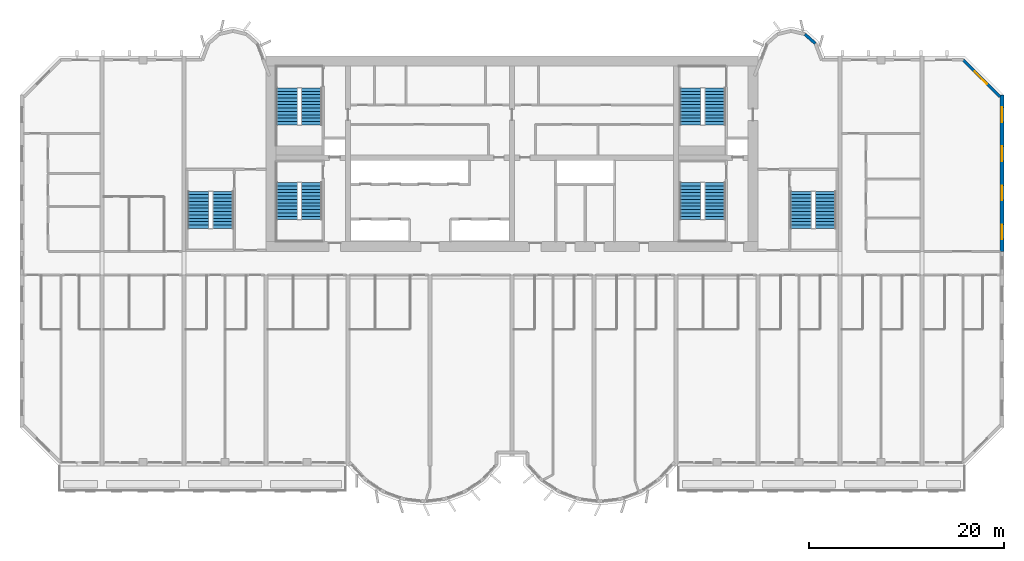
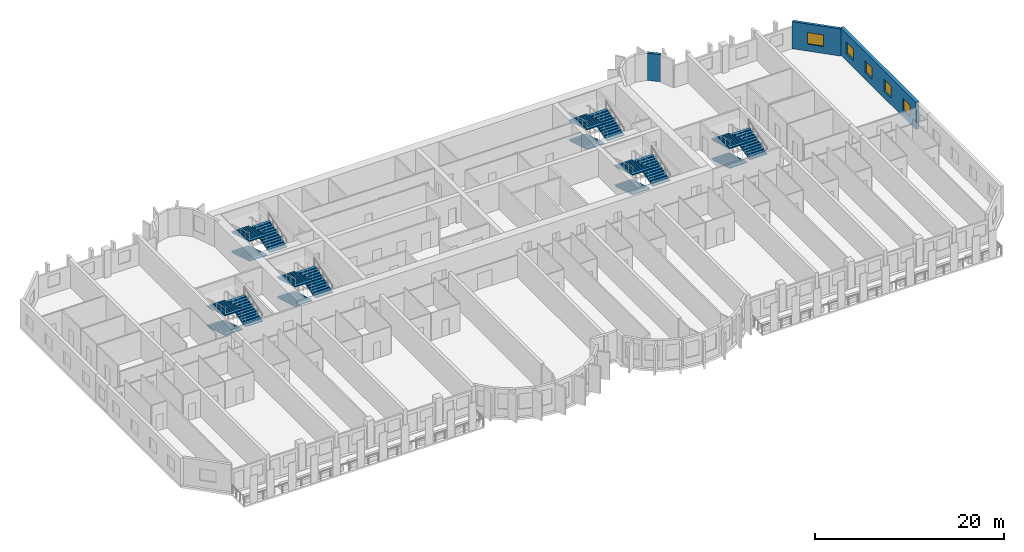
# One storey, part 11 of 14: 18 stair flights, 5 windows, 3 walls, 5 openings, 6 elements without a shape of their own.
"""IFC4 building model written with IfcOpenShell, lengths in metres."""

from ifc_helpers import new_model, si_unit, direction, frame, frame_2d, origin, place, context, subcontext, project, spatial, polyline, rectangle, outline, extrude, source, transform, mapped, material, layer, layer_set, type_object, element, fill, aggregate, save


model = new_model("IFC4")

# Units and contexts
model_context = context("Model", 3, precision=1e-05, world=origin(), true_north=direction((0.0, 1.0)))
body_context = subcontext(model_context, "Body", "Model", "MODEL_VIEW")
ifc_project = project(units=[si_unit("LENGTHUNIT", "METRE"), si_unit("AREAUNIT", "SQUARE_METRE"), si_unit("VOLUMEUNIT", "CUBIC_METRE"), si_unit("PLANEANGLEUNIT", "RADIAN"), si_unit("MASSUNIT", "GRAM", prefix="KILO")], contexts=[model_context])

# Site, building, storey
site_placement = place(None, origin())
site = spatial("IfcSite", under=ifc_project, at=site_placement, CompositionType="ELEMENT")
building_placement = place(site_placement, origin())
building = spatial("IfcBuilding", under=site, at=building_placement, Name="Vanashikhar Sky Hotel", CompositionType="ELEMENT")
storey_placement = place(building_placement, frame((0.0, 0.0, 54.39990234375)))
storey = spatial("IfcBuildingStorey", under=building, at=storey_placement, Name="L12", CompositionType="ELEMENT", Elevation=54.39990234375)

# Wall, openings, windows
ifc_material_1 = material(Name="Concrete M80", Category="concrete")
ifc_layer_1 = layer(ifc_material_1, 0.39990234375)
ifc_layer_set_1 = layer_set([ifc_layer_1], Name="RC shear wall 400 Concrete M80")
wall_type_1 = type_object("IfcWallType", Name="RC shear wall 400 Concrete M80", PredefinedType="SHEAR", material=ifc_layer_set_1)
shared_shape_1 = source(origin(), body_context, "Body", "SweptSolid", [
    extrude(rectangle(XDim=16.0, YDim=0.39990234375, at=frame_2d((8.0, 0.0))), origin(), (0.0, 0.0, 1.0), 3.52001953125),
])
wall_1_placement = place(storey_placement, frame((100.60009765625, 22.0, 0.0), z_axis=(0.0, 0.0, 1.0), x_axis=(0.0, 1.0, 0.0)))
wall_1 = element("IfcWall", 1, at=wall_1_placement, inside=storey, type_object=wall_type_1, Name="CW-L12-XW13-2", PredefinedType="SHEAR", context=body_context, shape_type="MappedRepresentation", body=[
    mapped(shared_shape_1, transform((0.0, 0.0, 0.0), scale=1.0)),
])
shared_shape_2 = source(origin(), body_context, "Body", "SweptSolid", [
    extrude(rectangle(XDim=1.5, YDim=1.5, at=frame_2d((0.75, 0.75))), frame((0.0, 0.2099609375, 0.0), z_axis=(0.0, -1.0, 0.0), x_axis=(1.0, 0.0, 0.0)), (0.0, 0.0, 1.0), 0.419921875),
])
opening_1_placement = place(wall_1_placement, frame((1.25, 0.0, 0.89990234375)))
opening_1 = element("IfcOpeningElement", 2, at=opening_1_placement, cuts=wall_1, Name="Opening WN-1", PredefinedType="OPENING", context=body_context, shape_type="MappedRepresentation", body=[
    mapped(shared_shape_2, transform((0.0, 0.0, 0.0), scale=1.0)),
])
opening_2_placement = place(wall_1_placement, frame((5.25, 0.0, 0.89990234375)))
opening_2 = element("IfcOpeningElement", 3, at=opening_2_placement, cuts=wall_1, Name="Opening WN-1", PredefinedType="OPENING", context=body_context, shape_type="MappedRepresentation", body=[
    mapped(shared_shape_2, transform((0.0, 0.0, 0.0), scale=1.0)),
])
opening_3_placement = place(wall_1_placement, frame((9.25, 0.0, 0.89990234375)))
opening_3 = element("IfcOpeningElement", 4, at=opening_3_placement, cuts=wall_1, Name="Opening WN-1", PredefinedType="OPENING", context=body_context, shape_type="MappedRepresentation", body=[
    mapped(shared_shape_2, transform((0.0, 0.0, 0.0), scale=1.0)),
])
opening_4_placement = place(wall_1_placement, frame((13.25, 0.0, 0.89990234375)))
opening_4 = element("IfcOpeningElement", 5, at=opening_4_placement, cuts=wall_1, Name="Opening WN-1", PredefinedType="OPENING", context=body_context, shape_type="MappedRepresentation", body=[
    mapped(shared_shape_2, transform((0.0, 0.0, 0.0), scale=1.0)),
])
ifc_material_2 = material(Name="Glass", Category="glass")
window_type_1 = type_object("IfcWindowType", Name="Window 1500 x 1500", PartitioningType="SINGLE_PANEL", PredefinedType="WINDOW", material=ifc_material_2)
shared_shape_3 = source(origin(), body_context, "Body", "SweptSolid", [
    extrude(rectangle(XDim=1.5, YDim=1.5, at=frame_2d((0.75, 0.75))), frame((0.0, 0.030029296875, 0.0), z_axis=(0.0, -1.0, 0.0), x_axis=(1.0, 0.0, 0.0)), (0.0, 0.0, 1.0), 0.06005859375),
])
window_1_placement = place(opening_1_placement, origin())
window_1 = element("IfcWindow", 6, at=window_1_placement, inside=storey, type_object=window_type_1, Name="Window WN-1", OverallHeight=1.5, OverallWidth=1.5, PartitioningType="SINGLE_PANEL", PredefinedType="WINDOW", context=body_context, shape_type="MappedRepresentation", body=[
    mapped(shared_shape_3, transform((0.0, 0.0, 0.0), scale=1.0)),
])
fill(opening_1, window_1)
window_2_placement = place(opening_2_placement, origin())
window_2 = element("IfcWindow", 7, at=window_2_placement, inside=storey, type_object=window_type_1, Name="Window WN-1", OverallHeight=1.5, OverallWidth=1.5, PartitioningType="SINGLE_PANEL", PredefinedType="WINDOW", context=body_context, shape_type="MappedRepresentation", body=[
    mapped(shared_shape_3, transform((0.0, 0.0, 0.0), scale=1.0)),
])
fill(opening_2, window_2)
window_3_placement = place(opening_3_placement, origin())
window_3 = element("IfcWindow", 8, at=window_3_placement, inside=storey, type_object=window_type_1, Name="Window WN-1", OverallHeight=1.5, OverallWidth=1.5, PartitioningType="SINGLE_PANEL", PredefinedType="WINDOW", context=body_context, shape_type="MappedRepresentation", body=[
    mapped(shared_shape_3, transform((0.0, 0.0, 0.0), scale=1.0)),
])
fill(opening_3, window_3)
window_4_placement = place(opening_4_placement, origin())
window_4 = element("IfcWindow", 9, at=window_4_placement, inside=storey, type_object=window_type_1, Name="Window WN-1", OverallHeight=1.5, OverallWidth=1.5, PartitioningType="SINGLE_PANEL", PredefinedType="WINDOW", context=body_context, shape_type="MappedRepresentation", body=[
    mapped(shared_shape_3, transform((0.0, 0.0, 0.0), scale=1.0)),
])
fill(opening_4, window_4)

# Wall, opening, window
ifc_material_3 = material(Name="Concrete M50", Category="concrete")
ifc_layer_2 = layer(ifc_material_3, 0.300048828125)
ifc_layer_set_2 = layer_set([ifc_layer_2], Name="Lobe wall 300")
wall_type_2 = type_object("IfcWallType", Name="Lobe wall 300", PredefinedType="SOLIDWALL", material=ifc_layer_set_2)
shared_shape_4 = source(origin(), body_context, "Body", "SweptSolid", [
    extrude(rectangle(XDim=5.32568359375, YDim=0.300048828125, at=frame_2d((2.662841796875, 0.0))), origin(), (0.0, 0.0, 1.0), 3.52001953125),
])
wall_2_placement = place(storey_placement, frame((100.39990234375, 37.834228515625, 0.0), z_axis=(0.0, 0.0, 1.0), x_axis=(-0.707083859269, 0.707129702361, 0.0)))
wall_2 = element("IfcWall", 10, at=wall_2_placement, inside=storey, type_object=wall_type_2, Name="Corner wall", PredefinedType="SOLIDWALL", context=body_context, shape_type="MappedRepresentation", body=[
    mapped(shared_shape_4, transform((0.0, 0.0, 0.0), scale=1.0)),
])
shared_shape_5 = source(origin(), body_context, "Body", "SweptSolid", [
    extrude(rectangle(XDim=1.800048828125, YDim=1.5, at=frame_2d((0.89990234375, 0.75))), frame((0.0, 0.16015625, 0.0), z_axis=(0.0, -1.0, 0.0), x_axis=(1.0, 0.0, 0.0)), (0.0, 0.0, 1.0), 0.320068359375),
])
opening_5_placement = place(wall_2_placement, frame((1.871337890625, 0.0, 0.89990234375)))
opening_5 = element("IfcOpeningElement", 11, at=opening_5_placement, cuts=wall_2, Name="Opening WN-4", PredefinedType="OPENING", context=body_context, shape_type="MappedRepresentation", body=[
    mapped(shared_shape_5, transform((0.0, 0.0, 0.0), scale=1.0)),
])
window_type_2 = type_object("IfcWindowType", Name="Corner window 1800 x 1500", PartitioningType="SINGLE_PANEL", PredefinedType="WINDOW", material=ifc_material_2)
shared_shape_6 = source(origin(), body_context, "Body", "SweptSolid", [
    extrude(rectangle(XDim=1.800048828125, YDim=1.5, at=frame_2d((0.89990234375, 0.75))), frame((0.0, 0.030029296875, 0.0), z_axis=(0.0, -1.0, 0.0), x_axis=(1.0, 0.0, 0.0)), (0.0, 0.0, 1.0), 0.06005859375),
])
window_5_placement = place(opening_5_placement, origin())
window_5 = element("IfcWindow", 12, at=window_5_placement, inside=storey, type_object=window_type_2, Name="Window WN-4", OverallHeight=1.5, OverallWidth=1.800048828125, PartitioningType="SINGLE_PANEL", PredefinedType="WINDOW", context=body_context, shape_type="MappedRepresentation", body=[
    mapped(shared_shape_6, transform((0.0, 0.0, 0.0), scale=1.0)),
])
fill(opening_5, window_5)

# Wall
shared_shape_7 = source(origin(), body_context, "Body", "SweptSolid", [
    extrude(rectangle(XDim=1.43994140625, YDim=0.300048828125, at=frame_2d((0.719970703125, 0.0))), origin(), (0.0, 0.0, 1.0), 3.52001953125),
])
wall_3_placement = place(storey_placement, frame((81.4765625, 43.2919921875, 0.0), z_axis=(0.0, 0.0, 1.0), x_axis=(-0.74957555648, 0.661918790432, 0.0)))
element("IfcWall", 13, at=wall_3_placement, inside=storey, type_object=wall_type_2, Name="Lobe wall", PredefinedType="SOLIDWALL", context=body_context, shape_type="MappedRepresentation", body=[
    mapped(shared_shape_7, transform((0.0, 0.0, 0.0), scale=1.0)),
])

# Stair, stair flights
ifc_material_4 = material(Name="Concrete M40", Category="concrete")
stair_type = type_object("IfcStairType", Name="Exit stair 2150", PredefinedType="DOUBLE_RETURN_STAIR", material=ifc_material_4)
stair_1_placement = place(storey_placement, origin())
stair_1 = element("IfcStair", 14, at=stair_1_placement, inside=storey, type_object=stair_type, Name="L12 Exit stair 1", PredefinedType="DOUBLE_RETURN_STAIR")
stair_flight_type = type_object("IfcStairFlightType", Name="Stair flight 2150", PredefinedType="STRAIGHT", material=ifc_material_4)
shared_shape_8 = source(origin(), body_context, "Body", "SweptSolid", [
    extrude(outline(polyline([(0.0, 0.0), (0.0, 0.10546875), (0.345458984375, 0.10546875), (0.345458984375, 0.211181640625), (0.69091796875, 0.211181640625), (0.69091796875, 0.316650390625), (1.036376953125, 0.316650390625), (1.036376953125, 0.422119140625), (1.3818359375, 0.422119140625), (1.3818359375, 0.52783203125), (1.727294921875, 0.52783203125), (1.727294921875, 0.63330078125), (2.07275390625, 0.63330078125), (2.07275390625, 0.73876953125), (2.418212890625, 0.73876953125), (2.418212890625, 0.844482421875), (2.763671875, 0.844482421875), (2.763671875, 0.949951171875), (3.109130859375, 0.949951171875), (3.109130859375, 1.0556640625), (3.45458984375, 1.0556640625), (3.45458984375, 1.1611328125), (3.800048828125, 1.1611328125), (3.800048828125, 1.2666015625), (3.800048828125, 1.035400390625), (0.4111328125, 0.0), (0.0, 0.0)])), frame((0.0, 1.074951171875, 0.0), z_axis=(0.0, -1.0, 0.0), x_axis=(1.0, 0.0, 0.0)), (0.0, 0.0, 1.0), 2.14990234375),
])
stair_flight_1_placement = place(storey_placement, frame((27.375, 29.050048828125, 0.0), z_axis=(0.0, 0.0, 1.0), x_axis=(0.0, -1.0, 0.0)))
stair_flight_1 = element("IfcStairFlight", 15, at=stair_flight_1_placement, type_object=stair_flight_type, Name="ST-C1 flight 1", NumberOfRisers=12, NumberOfTreads=11, PredefinedType="STRAIGHT", RiserHeight=0.105555556, TreadLength=0.345454545, context=body_context, shape_type="MappedRepresentation", body=[
    mapped(shared_shape_8, transform((0.0, 0.0, 0.0), scale=1.0)),
])
stair_flight_2_placement = place(storey_placement, frame((29.875, 25.25, 1.266845703125), z_axis=(0.0, 0.0, 1.0), x_axis=(0.0, 1.0, 0.0)))
stair_flight_2 = element("IfcStairFlight", 16, at=stair_flight_2_placement, type_object=stair_flight_type, Name="ST-C1 flight 2", NumberOfRisers=12, NumberOfTreads=11, PredefinedType="STRAIGHT", RiserHeight=0.105555556, TreadLength=0.345454545, context=body_context, shape_type="MappedRepresentation", body=[
    mapped(shared_shape_8, transform((0.0, 0.0, 0.0), scale=1.0)),
])
stair_flight_3_placement = place(storey_placement, frame((27.375, 29.050048828125, 2.533447265625), z_axis=(0.0, 0.0, 1.0), x_axis=(0.0, -1.0, 0.0)))
stair_flight_3 = element("IfcStairFlight", 17, at=stair_flight_3_placement, type_object=stair_flight_type, Name="ST-C1 flight 3", NumberOfRisers=12, NumberOfTreads=11, PredefinedType="STRAIGHT", RiserHeight=0.105555556, TreadLength=0.345454545, context=body_context, shape_type="MappedRepresentation", body=[
    mapped(shared_shape_8, transform((0.0, 0.0, 0.0), scale=1.0)),
])
aggregate(stair_1, [stair_flight_1, stair_flight_2, stair_flight_3])

stair_2_placement = place(storey_placement, origin())
stair_2 = element("IfcStair", 18, at=stair_2_placement, inside=storey, type_object=stair_type, Name="L12 Exit stair 2", PredefinedType="DOUBLE_RETURN_STAIR")
stair_flight_4_placement = place(storey_placement, frame((68.675048828125, 29.050048828125, 0.0), z_axis=(0.0, 0.0, 1.0), x_axis=(0.0, -1.0, 0.0)))
stair_flight_4 = element("IfcStairFlight", 19, at=stair_flight_4_placement, type_object=stair_flight_type, Name="ST-C2 flight 1", NumberOfRisers=12, NumberOfTreads=11, PredefinedType="STRAIGHT", RiserHeight=0.105555556, TreadLength=0.345454545, context=body_context, shape_type="MappedRepresentation", body=[
    mapped(shared_shape_8, transform((0.0, 0.0, 0.0), scale=1.0)),
])
stair_flight_5_placement = place(storey_placement, frame((71.175048828125, 25.25, 1.266845703125), z_axis=(0.0, 0.0, 1.0), x_axis=(0.0, 1.0, 0.0)))
stair_flight_5 = element("IfcStairFlight", 20, at=stair_flight_5_placement, type_object=stair_flight_type, Name="ST-C2 flight 2", NumberOfRisers=12, NumberOfTreads=11, PredefinedType="STRAIGHT", RiserHeight=0.105555556, TreadLength=0.345454545, context=body_context, shape_type="MappedRepresentation", body=[
    mapped(shared_shape_8, transform((0.0, 0.0, 0.0), scale=1.0)),
])
stair_flight_6_placement = place(storey_placement, frame((68.675048828125, 29.050048828125, 2.533447265625), z_axis=(0.0, 0.0, 1.0), x_axis=(0.0, -1.0, 0.0)))
stair_flight_6 = element("IfcStairFlight", 21, at=stair_flight_6_placement, type_object=stair_flight_type, Name="ST-C2 flight 3", NumberOfRisers=12, NumberOfTreads=11, PredefinedType="STRAIGHT", RiserHeight=0.105555556, TreadLength=0.345454545, context=body_context, shape_type="MappedRepresentation", body=[
    mapped(shared_shape_8, transform((0.0, 0.0, 0.0), scale=1.0)),
])
aggregate(stair_2, [stair_flight_4, stair_flight_5, stair_flight_6])

stair_3_placement = place(storey_placement, origin())
stair_3 = element("IfcStair", 22, at=stair_3_placement, inside=storey, type_object=stair_type, Name="L12 Exit stair 3", PredefinedType="DOUBLE_RETURN_STAIR")
stair_flight_7_placement = place(storey_placement, frame((18.27490234375, 28.14990234375, 0.0), z_axis=(0.0, 0.0, 1.0), x_axis=(0.0, -1.0, 0.0)))
stair_flight_7 = element("IfcStairFlight", 23, at=stair_flight_7_placement, type_object=stair_flight_type, Name="ST-W flight 1", NumberOfRisers=12, NumberOfTreads=11, PredefinedType="STRAIGHT", RiserHeight=0.105555556, TreadLength=0.345454545, context=body_context, shape_type="MappedRepresentation", body=[
    mapped(shared_shape_8, transform((0.0, 0.0, 0.0), scale=1.0)),
])
stair_flight_8_placement = place(storey_placement, frame((20.77490234375, 24.35009765625, 1.266845703125), z_axis=(0.0, 0.0, 1.0), x_axis=(0.0, 1.0, 0.0)))
stair_flight_8 = element("IfcStairFlight", 24, at=stair_flight_8_placement, type_object=stair_flight_type, Name="ST-W flight 2", NumberOfRisers=12, NumberOfTreads=11, PredefinedType="STRAIGHT", RiserHeight=0.105555556, TreadLength=0.345454545, context=body_context, shape_type="MappedRepresentation", body=[
    mapped(shared_shape_8, transform((0.0, 0.0, 0.0), scale=1.0)),
])
stair_flight_9_placement = place(storey_placement, frame((18.27490234375, 28.14990234375, 2.533447265625), z_axis=(0.0, 0.0, 1.0), x_axis=(0.0, -1.0, 0.0)))
stair_flight_9 = element("IfcStairFlight", 25, at=stair_flight_9_placement, type_object=stair_flight_type, Name="ST-W flight 3", NumberOfRisers=12, NumberOfTreads=11, PredefinedType="STRAIGHT", RiserHeight=0.105555556, TreadLength=0.345454545, context=body_context, shape_type="MappedRepresentation", body=[
    mapped(shared_shape_8, transform((0.0, 0.0, 0.0), scale=1.0)),
])
aggregate(stair_3, [stair_flight_7, stair_flight_8, stair_flight_9])

stair_4_placement = place(storey_placement, origin())
stair_4 = element("IfcStair", 26, at=stair_4_placement, inside=storey, type_object=stair_type, Name="L12 Exit stair 4", PredefinedType="DOUBLE_RETURN_STAIR")
stair_flight_10_placement = place(storey_placement, frame((80.02490234375, 28.14990234375, 0.0), z_axis=(0.0, 0.0, 1.0), x_axis=(0.0, -1.0, 0.0)))
stair_flight_10 = element("IfcStairFlight", 27, at=stair_flight_10_placement, type_object=stair_flight_type, Name="ST-E flight 1", NumberOfRisers=12, NumberOfTreads=11, PredefinedType="STRAIGHT", RiserHeight=0.105555556, TreadLength=0.345454545, context=body_context, shape_type="MappedRepresentation", body=[
    mapped(shared_shape_8, transform((0.0, 0.0, 0.0), scale=1.0)),
])
stair_flight_11_placement = place(storey_placement, frame((82.52490234375, 24.35009765625, 1.266845703125), z_axis=(0.0, 0.0, 1.0), x_axis=(0.0, 1.0, 0.0)))
stair_flight_11 = element("IfcStairFlight", 28, at=stair_flight_11_placement, type_object=stair_flight_type, Name="ST-E flight 2", NumberOfRisers=12, NumberOfTreads=11, PredefinedType="STRAIGHT", RiserHeight=0.105555556, TreadLength=0.345454545, context=body_context, shape_type="MappedRepresentation", body=[
    mapped(shared_shape_8, transform((0.0, 0.0, 0.0), scale=1.0)),
])
stair_flight_12_placement = place(storey_placement, frame((80.02490234375, 28.14990234375, 2.533447265625), z_axis=(0.0, 0.0, 1.0), x_axis=(0.0, -1.0, 0.0)))
stair_flight_12 = element("IfcStairFlight", 29, at=stair_flight_12_placement, type_object=stair_flight_type, Name="ST-E flight 3", NumberOfRisers=12, NumberOfTreads=11, PredefinedType="STRAIGHT", RiserHeight=0.105555556, TreadLength=0.345454545, context=body_context, shape_type="MappedRepresentation", body=[
    mapped(shared_shape_8, transform((0.0, 0.0, 0.0), scale=1.0)),
])
aggregate(stair_4, [stair_flight_10, stair_flight_11, stair_flight_12])

stair_5_placement = place(storey_placement, origin())
stair_5 = element("IfcStair", 30, at=stair_5_placement, inside=storey, type_object=stair_type, Name="L12 Exit stair 5", PredefinedType="DOUBLE_RETURN_STAIR")
stair_flight_13_placement = place(storey_placement, frame((27.375, 38.75, 0.0), z_axis=(0.0, 0.0, 1.0), x_axis=(0.0, -1.0, 0.0)))
stair_flight_13 = element("IfcStairFlight", 31, at=stair_flight_13_placement, type_object=stair_flight_type, Name="ST-C3 flight 1", NumberOfRisers=12, NumberOfTreads=11, PredefinedType="STRAIGHT", RiserHeight=0.105555556, TreadLength=0.345454545, context=body_context, shape_type="MappedRepresentation", body=[
    mapped(shared_shape_8, transform((0.0, 0.0, 0.0), scale=1.0)),
])
stair_flight_14_placement = place(storey_placement, frame((29.875, 34.949951171875, 1.266845703125), z_axis=(0.0, 0.0, 1.0), x_axis=(0.0, 1.0, 0.0)))
stair_flight_14 = element("IfcStairFlight", 32, at=stair_flight_14_placement, type_object=stair_flight_type, Name="ST-C3 flight 2", NumberOfRisers=12, NumberOfTreads=11, PredefinedType="STRAIGHT", RiserHeight=0.105555556, TreadLength=0.345454545, context=body_context, shape_type="MappedRepresentation", body=[
    mapped(shared_shape_8, transform((0.0, 0.0, 0.0), scale=1.0)),
])
stair_flight_15_placement = place(storey_placement, frame((27.375, 38.75, 2.533447265625), z_axis=(0.0, 0.0, 1.0), x_axis=(0.0, -1.0, 0.0)))
stair_flight_15 = element("IfcStairFlight", 33, at=stair_flight_15_placement, type_object=stair_flight_type, Name="ST-C3 flight 3", NumberOfRisers=12, NumberOfTreads=11, PredefinedType="STRAIGHT", RiserHeight=0.105555556, TreadLength=0.345454545, context=body_context, shape_type="MappedRepresentation", body=[
    mapped(shared_shape_8, transform((0.0, 0.0, 0.0), scale=1.0)),
])
aggregate(stair_5, [stair_flight_13, stair_flight_14, stair_flight_15])

stair_6_placement = place(storey_placement, origin())
stair_6 = element("IfcStair", 34, at=stair_6_placement, inside=storey, type_object=stair_type, Name="L12 Exit stair 6", PredefinedType="DOUBLE_RETURN_STAIR")
stair_flight_16_placement = place(storey_placement, frame((68.675048828125, 38.75, 0.0), z_axis=(0.0, 0.0, 1.0), x_axis=(0.0, -1.0, 0.0)))
stair_flight_16 = element("IfcStairFlight", 35, at=stair_flight_16_placement, type_object=stair_flight_type, Name="ST-C4 flight 1", NumberOfRisers=12, NumberOfTreads=11, PredefinedType="STRAIGHT", RiserHeight=0.105555556, TreadLength=0.345454545, context=body_context, shape_type="MappedRepresentation", body=[
    mapped(shared_shape_8, transform((0.0, 0.0, 0.0), scale=1.0)),
])
stair_flight_17_placement = place(storey_placement, frame((71.175048828125, 34.949951171875, 1.266845703125), z_axis=(0.0, 0.0, 1.0), x_axis=(0.0, 1.0, 0.0)))
stair_flight_17 = element("IfcStairFlight", 36, at=stair_flight_17_placement, type_object=stair_flight_type, Name="ST-C4 flight 2", NumberOfRisers=12, NumberOfTreads=11, PredefinedType="STRAIGHT", RiserHeight=0.105555556, TreadLength=0.345454545, context=body_context, shape_type="MappedRepresentation", body=[
    mapped(shared_shape_8, transform((0.0, 0.0, 0.0), scale=1.0)),
])
stair_flight_18_placement = place(storey_placement, frame((68.675048828125, 38.75, 2.533447265625), z_axis=(0.0, 0.0, 1.0), x_axis=(0.0, -1.0, 0.0)))
stair_flight_18 = element("IfcStairFlight", 37, at=stair_flight_18_placement, type_object=stair_flight_type, Name="ST-C4 flight 3", NumberOfRisers=12, NumberOfTreads=11, PredefinedType="STRAIGHT", RiserHeight=0.105555556, TreadLength=0.345454545, context=body_context, shape_type="MappedRepresentation", body=[
    mapped(shared_shape_8, transform((0.0, 0.0, 0.0), scale=1.0)),
])
aggregate(stair_6, [stair_flight_16, stair_flight_17, stair_flight_18])

save(model, "model.ifc")
